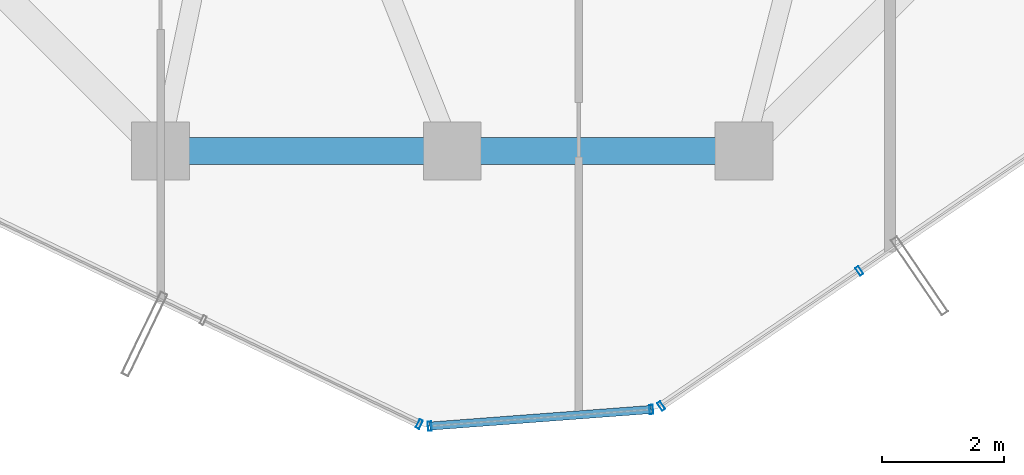
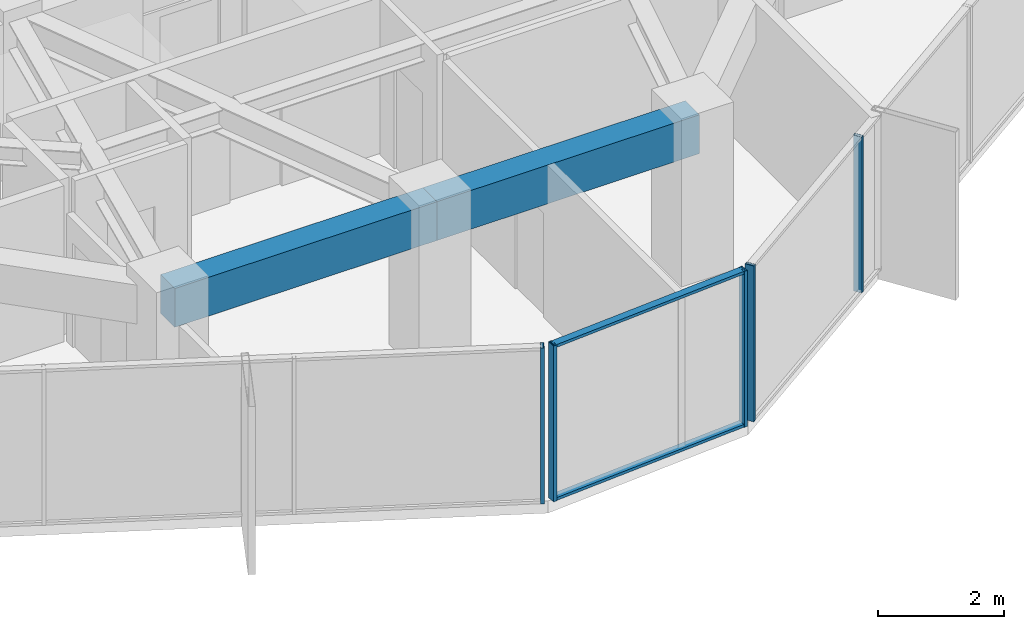
# One storey, part 7 of 34: 7 members, 2 beams, 3 elements without a shape of their own.
"""IFC4 building model written with IfcOpenShell, lengths in metres."""

from ifc_helpers import new_model, si_unit, direction, frame, origin, origin_2d, place, context, subcontext, project, spatial, rectangle, hollow_rectangle, extrude, source, transform, mapped, material, layer, layer_set, material_profile, profile_set, type_object, element, aggregate, save


model = new_model("IFC4")

# Units and contexts
model_context = context("Model", 3, precision=1e-05, world=origin(), true_north=direction((0.0, 1.0)))
body_context = subcontext(model_context, "Body", "Model", "MODEL_VIEW")
ifc_project = project(units=[si_unit("LENGTHUNIT", "METRE"), si_unit("AREAUNIT", "SQUARE_METRE"), si_unit("VOLUMEUNIT", "CUBIC_METRE"), si_unit("PLANEANGLEUNIT", "RADIAN"), si_unit("MASSUNIT", "GRAM", prefix="KILO")], contexts=[model_context])

# Site, building, storey
site_placement = place(None, origin())
site = spatial("IfcSite", under=ifc_project, at=site_placement, CompositionType="ELEMENT")
building_placement = place(site_placement, origin())
building = spatial("IfcBuilding", under=site, at=building_placement, Name="Veraguas Prism Commons", CompositionType="ELEMENT")
storey_placement = place(building_placement, frame((0.0, 0.0, 191.85009765625)))
storey = spatial("IfcBuildingStorey", under=building, at=storey_placement, Name="L54", CompositionType="ELEMENT", Elevation=191.85009765625)

# Beams
ifc_material_1 = material(Name="Concrete C50/60", Category="concrete")
ifc_material_profile_1 = material_profile(ifc_material_1, rectangle(XDim=0.449951171875, YDim=0.75, at=origin_2d()), Name="RC450X750")
ifc_profile_set_1 = profile_set([ifc_material_profile_1], Name="Concrete C50/60")
beam_type = type_object("IfcBeamType", Name="Perimeter Spandrel Upper RC 450x750", PredefinedType="SPANDREL", material=ifc_profile_set_1)
for number, where, z_axis, x_axis, name in (
    (1, (19.199951171875, 9.10009765625, 2.639892578125), (1.0, 0.0, 0.0), (0.0, 1.0, 0.0), "Perimeter Spandrel Beam L54-SP10"),
    (2, (24.0, 9.10009765625, 2.639892578125), (1.0, 0.0, 0.0), (0.0, 1.0, 0.0), "Perimeter Spandrel Beam L54-SP11"),
):
    element("IfcBeam", number, at=place(storey_placement, frame(where, z_axis=z_axis, x_axis=x_axis)), inside=storey, type_object=beam_type, Name=name, PredefinedType="SPANDREL", context=body_context, shape_type="SweptSolid", body=[
        extrude(rectangle(XDim=0.449951171875, YDim=0.75, at=origin_2d()), origin(), (0.0, 0.0, 1.0), 4.800048828125),
    ])

# Curtain wall, member
ifc_material_2 = material(Name="Anodised aluminium EN AW-6063 T6", Category="aluminium")
ifc_layer = layer(ifc_material_2, 0.14990234375, Name="Unitised Flush Curtain Wall Zone 3", Category="aluminium")
ifc_layer_set = layer_set([ifc_layer], Name="Anodised aluminium EN AW-6063 T6")
curtain_wall_type = type_object("IfcCurtainWallType", Name="Unitised Flush Curtain Wall Zone 3", PredefinedType="NOTDEFINED", material=ifc_layer_set)
curtain_wall_1_placement = place(storey_placement, origin())
curtain_wall_1 = element("IfcCurtainWall", 3, at=curtain_wall_1_placement, inside=storey, type_object=curtain_wall_type, Name="Tower Facade Curtain Wall L54-F4", PredefinedType="NOTDEFINED")
ifc_material_profile_2 = material_profile(ifc_material_2, hollow_rectangle(XDim=0.06005859375, YDim=0.14990234375, WallThickness=0.0029296875, at=origin_2d()), Name="AL60X150X3")
ifc_profile_set_2 = profile_set([ifc_material_profile_2], Name="Anodised aluminium EN AW-6063 T6")
member_type_1 = type_object("IfcMemberType", Name="Curtain Wall Mullion Upper AL 60x150x3", PredefinedType="MULLION", material=ifc_profile_set_2)
shared_shape_1 = source(origin(), body_context, "Body", "SweptSolid", [
    extrude(hollow_rectangle(XDim=0.06005859375, YDim=0.14990234375, WallThickness=0.0029296875, at=origin_2d()), origin(), (0.0, 0.0, 1.0), 3.014892578125),
])
member_1_placement = place(storey_placement, frame((23.457275390625, 4.606689453125, 0.0), z_axis=(0.0, 0.0, 1.0), x_axis=(0.901073993789, -0.433665375281, 0.0)))
member_1 = element("IfcMember", 4, at=member_1_placement, type_object=member_type_1, Name="CW-Z3 Mullion 5", PredefinedType="MULLION", context=body_context, shape_type="MappedRepresentation", body=[
    mapped(shared_shape_1, transform((0.0, 0.0, 0.0), scale=1.0)),
])
aggregate(curtain_wall_1, [member_1])

# Curtain wall, members
curtain_wall_2_placement = place(storey_placement, origin())
curtain_wall_2 = element("IfcCurtainWall", 5, at=curtain_wall_2_placement, inside=storey, type_object=curtain_wall_type, Name="Tower Facade Curtain Wall L54-F5", PredefinedType="NOTDEFINED")
member_2_placement = place(storey_placement, frame((27.4365234375, 4.90576171875, 0.0), z_axis=(0.0, 0.0, 1.0), x_axis=(0.826095343869, 0.56353037437, 0.0)))
member_2 = element("IfcMember", 6, at=member_2_placement, type_object=member_type_1, Name="CW-Z3 Mullion 1", PredefinedType="MULLION", context=body_context, shape_type="MappedRepresentation", body=[
    mapped(shared_shape_1, transform((0.0, 0.0, 0.0), scale=1.0)),
])
member_3_placement = place(storey_placement, frame((30.696044921875, 7.12939453125, 0.0), z_axis=(0.0, 0.0, 1.0), x_axis=(0.826095343869, 0.56353037437, 0.0)))
member_3 = element("IfcMember", 7, at=member_3_placement, type_object=member_type_1, Name="CW-Z3 Mullion 2", PredefinedType="MULLION", context=body_context, shape_type="MappedRepresentation", body=[
    mapped(shared_shape_1, transform((0.0, 0.0, 0.0), scale=1.0)),
])
aggregate(curtain_wall_2, [member_2, member_3])

curtain_wall_3_placement = place(storey_placement, origin())
curtain_wall_3 = element("IfcCurtainWall", 8, at=curtain_wall_3_placement, inside=storey, type_object=curtain_wall_type, Name="Chamfer Curtain Wall L54-C5", PredefinedType="NOTDEFINED")
member_4_placement = place(storey_placement, frame((23.628173828125, 4.574462890625, 0.0), z_axis=(0.0, 0.0, 1.0), x_axis=(0.997185264386, 0.07497698641, 0.0)))
member_4 = element("IfcMember", 9, at=member_4_placement, type_object=member_type_1, Name="CW-Z3 Mullion 1", PredefinedType="MULLION", context=body_context, shape_type="MappedRepresentation", body=[
    mapped(shared_shape_1, transform((0.0, 0.0, 0.0), scale=1.0)),
])
member_5_placement = place(storey_placement, frame((27.2724609375, 4.848388671875, 0.0), z_axis=(0.0, 0.0, 1.0), x_axis=(0.997185264386, 0.07497698641, 0.0)))
member_5 = element("IfcMember", 10, at=member_5_placement, type_object=member_type_1, Name="CW-Z3 Mullion 2", PredefinedType="MULLION", context=body_context, shape_type="MappedRepresentation", body=[
    mapped(shared_shape_1, transform((0.0, 0.0, 0.0), scale=1.0)),
])
ifc_material_profile_3 = material_profile(ifc_material_2, hollow_rectangle(XDim=0.054931640625, YDim=0.135009765625, WallThickness=0.0029296875, at=origin_2d()), Name="AL55X135X3")
ifc_profile_set_3 = profile_set([ifc_material_profile_3], Name="Anodised aluminium EN AW-6063 T6")
member_type_2 = type_object("IfcMemberType", Name="Curtain Wall Transom Standard AL 55x135x3", PredefinedType="USERDEFINED", material=ifc_profile_set_3)
shared_shape_2 = source(origin(), body_context, "Body", "SweptSolid", [
    extrude(hollow_rectangle(XDim=0.054931640625, YDim=0.135009765625, WallThickness=0.0029296875, at=origin_2d()), origin(), (0.0, 0.0, 1.0), 3.654541015625),
])
member_6_placement = place(storey_placement, frame((23.628173828125, 4.574462890625, 0.02734375), z_axis=(0.997186965159, 0.074954362893, 0.0), x_axis=(0.0, 0.0, 1.0)))
member_6 = element("IfcMember", 11, at=member_6_placement, type_object=member_type_2, Name="CW-Z3 Transom 1", ObjectType="TRANSOM", PredefinedType="USERDEFINED", context=body_context, shape_type="MappedRepresentation", body=[
    mapped(shared_shape_2, transform((0.0, 0.0, 0.0), scale=1.0)),
])
member_7_placement = place(storey_placement, frame((23.628173828125, 4.574462890625, 2.9873046875), z_axis=(0.997186965159, 0.074954362893, 0.0), x_axis=(0.0, 0.0, 1.0)))
member_7 = element("IfcMember", 12, at=member_7_placement, type_object=member_type_2, Name="CW-Z3 Transom 2", ObjectType="TRANSOM", PredefinedType="USERDEFINED", context=body_context, shape_type="MappedRepresentation", body=[
    mapped(shared_shape_2, transform((0.0, 0.0, 0.0), scale=1.0)),
])
aggregate(curtain_wall_3, [member_4, member_5, member_6, member_7])

save(model, "model.ifc")
